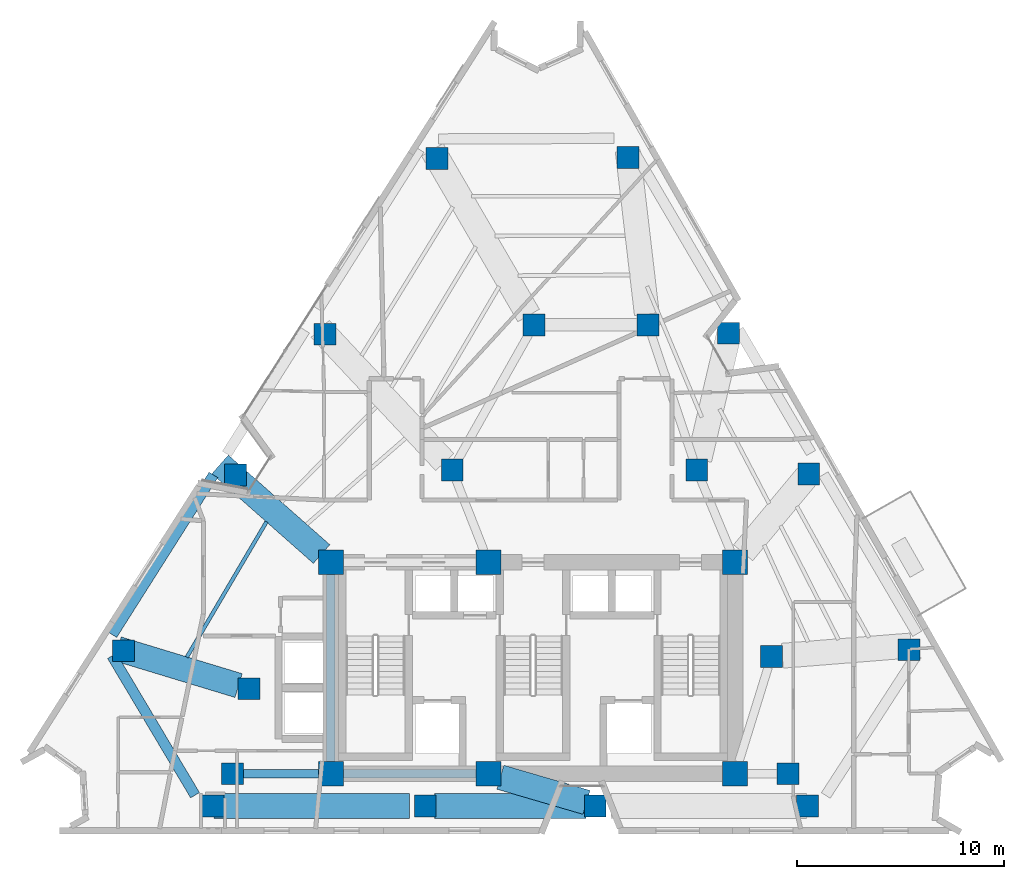
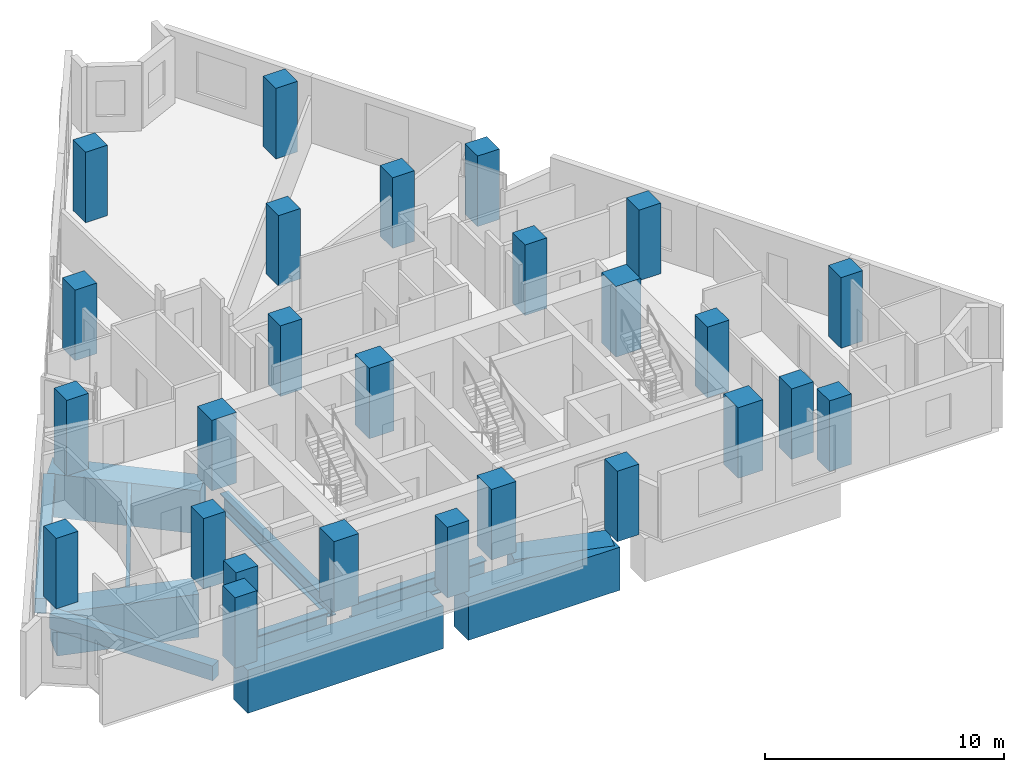
# One storey, part 1 of 12: 26 columns, 11 beams.
"""IFC4 building model written with IfcOpenShell, lengths in metres."""

from ifc_helpers import new_model, si_unit, direction, frame, origin, origin_2d, place, context, subcontext, project, spatial, rectangle, i_section, extrude, material, material_profile, profile_set, type_object, element, save


model = new_model("IFC4")

# Units and contexts
model_context = context("Model", 3, precision=1e-05, world=origin(), true_north=direction((0.0, 1.0)))
body_context = subcontext(model_context, "Body", "Model", "MODEL_VIEW")
ifc_project = project(units=[si_unit("LENGTHUNIT", "METRE"), si_unit("AREAUNIT", "SQUARE_METRE"), si_unit("VOLUMEUNIT", "CUBIC_METRE"), si_unit("PLANEANGLEUNIT", "RADIAN"), si_unit("MASSUNIT", "GRAM", prefix="KILO")], contexts=[model_context])

# Site, building, storey
site_placement = place(None, origin())
site = spatial("IfcSite", under=ifc_project, at=site_placement, CompositionType="ELEMENT")
building_placement = place(site_placement, origin())
building = spatial("IfcBuilding", under=site, at=building_placement, Name="Almagre Mirador Tower", CompositionType="ELEMENT")
storey_placement = place(building_placement, frame((0.0, 0.0, 132.0)))
storey = spatial("IfcBuildingStorey", under=building, at=storey_placement, Name="L33", CompositionType="ELEMENT", Elevation=132.0)

# Columns
ifc_material_1 = material(Name="Concrete C60/75", Category="concrete")
ifc_material_profile_1 = material_profile(ifc_material_1, rectangle(XDim=1.050048828125, YDim=1.050048828125, at=origin_2d()), Name="RC1050X1050")
ifc_profile_set_1 = profile_set([ifc_material_profile_1], Name="Concrete C60/75")
column_type_1 = type_object("IfcColumnType", Name="COL-RC1050", PredefinedType="COLUMN", material=ifc_profile_set_1)
for number, where, z_axis, x_axis, name in (
    (1, (22.800048828125, 4.550048828125, 0.0), (0.0, 0.0, 1.0), (1.0, 0.0, 0.0), "L33 interior transfer column MC1"),
    (2, (49.60009765625, 4.550048828125, 0.0), (0.0, 0.0, 1.0), (1.0, 0.0, 0.0), "L33 interior transfer column MC2"),
    (3, (48.800048828125, 10.199951171875, 0.0), (0.0, 0.0, 1.0), (1.0, 0.0, 0.0), "L33 interior transfer column MC3"),
    (4, (45.199951171875, 19.199951171875, 0.0), (0.0, 0.0, 1.0), (1.0, 0.0, 0.0), "L33 interior transfer column MC5"),
    (5, (42.85009765625, 26.199951171875, 0.0), (0.0, 0.0, 1.0), (1.0, 0.0, 0.0), "L33 interior transfer column MC6"),
    (6, (37.35009765625, 26.199951171875, 0.0), (0.0, 0.0, 1.0), (1.0, 0.0, 0.0), "L33 interior transfer column MC7"),
    (7, (33.39990234375, 19.199951171875, 0.0), (0.0, 0.0, 1.0), (1.0, 0.0, 0.0), "L33 interior transfer column MC8"),
    (8, (23.60009765625, 8.64990234375, 0.0), (0.0, 0.0, 1.0), (1.0, 0.0, 0.0), "L33 interior transfer column MC10"),
    (9, (21.864013671875, 3.0, 0.0), (0.0, 0.0, 1.0), (1.0, 0.0, 0.0), "L33 perimeter column PC01"),
    (10, (32.10400390625, 3.0, 0.0), (0.0, 0.0, 1.0), (1.0, 0.0, 0.0), "L33 perimeter column PC02"),
    (11, (40.2958984375, 3.0, 0.0), (0.0, 0.0, 1.0), (1.0, 0.0, 0.0), "L33 perimeter column PC03"),
    (12, (50.535888671875, 3.0, 0.0), (0.0, 0.0, 1.0), (1.0, 0.0, 0.0), "L33 perimeter column PC04"),
    (13, (55.43408203125, 10.532958984375, 0.0), (0.0, 0.0, 1.0), (1.0, 0.0, 0.0), "L33 perimeter column PC05"),
    (14, (50.593994140625, 19.012939453125, 0.0), (0.0, 0.0, 1.0), (1.0, 0.0, 0.0), "L33 perimeter column PC06"),
    (15, (46.721923828125, 25.797119140625, 0.0), (0.0, 0.0, 1.0), (1.0, 0.0, 0.0), "L33 perimeter column PC07"),
    (16, (41.882080078125, 34.277099609375, 0.0), (0.0, 0.0, 1.0), (1.0, 0.0, 0.0), "L33 perimeter column PC08"),
    (17, (32.672119140625, 34.22705078125, 0.0), (0.0, 0.0, 1.0), (1.0, 0.0, 0.0), "L33 perimeter column PC09"),
    (18, (27.27197265625, 25.7470703125, 0.0), (0.0, 0.0, 1.0), (1.0, 0.0, 0.0), "L33 perimeter column PC10"),
):
    element("IfcColumn", number, at=place(storey_placement, frame(where, z_axis=z_axis, x_axis=x_axis)), inside=storey, type_object=column_type_1, Name=name, PredefinedType="COLUMN", context=body_context, shape_type="SweptSolid", body=[
        extrude(rectangle(XDim=1.050048828125, YDim=1.050048828125, at=origin_2d()), origin(), (0.0, 0.0, 1.0), 3.60009765625),
    ])
column_1_placement = place(storey_placement, frame((22.951904296875, 18.962890625, -0.25), z_axis=(0.0, 0.0, 1.0), x_axis=(1.0, 0.0, 0.0)))
element("IfcColumn", 19, at=column_1_placement, inside=storey, type_object=column_type_1, Name="L33 perimeter column PC11", PredefinedType="COLUMN", context=body_context, shape_type="SweptSolid", body=[
    extrude(rectangle(XDim=1.050048828125, YDim=1.050048828125, at=origin_2d()), origin(), (0.0, 0.0, 1.0), 3.85009765625),
])
column_2_placement = place(storey_placement, frame((17.552001953125, 10.48291015625, 0.0), z_axis=(0.0, 0.0, 1.0), x_axis=(1.0, 0.0, 0.0)))
element("IfcColumn", 20, at=column_2_placement, inside=storey, type_object=column_type_1, Name="L33 perimeter column PC12", PredefinedType="COLUMN", context=body_context, shape_type="SweptSolid", body=[
    extrude(rectangle(XDim=1.050048828125, YDim=1.050048828125, at=origin_2d()), origin(), (0.0, 0.0, 1.0), 3.60009765625),
])
ifc_material_2 = material(Name="Concrete C60/75", Category="concrete")
ifc_material_profile_2 = material_profile(ifc_material_2, rectangle(XDim=1.199951171875, YDim=1.199951171875, at=origin_2d()), Name="RC1200X1200")
ifc_profile_set_2 = profile_set([ifc_material_profile_2], Name="Concrete C60/75")
column_type_2 = type_object("IfcColumnType", Name="COL-RC1200", PredefinedType="COLUMN", material=ifc_profile_set_2)
for number, where, z_axis, x_axis, name in (
    (21, (27.550048828125, 4.550048828125, 0.0), (0.0, 0.0, 1.0), (1.0, 0.0, 0.0), "L33 core spine column CC1"),
    (22, (35.14990234375, 4.550048828125, 0.0), (0.0, 0.0, 1.0), (1.0, 0.0, 0.0), "L33 core spine column CC2"),
    (23, (47.050048828125, 4.550048828125, 0.0), (0.0, 0.0, 1.0), (1.0, 0.0, 0.0), "L33 core spine column CC3"),
    (24, (27.550048828125, 14.75, 0.0), (0.0, 0.0, 1.0), (1.0, 0.0, 0.0), "L33 core spine column CC4"),
    (25, (35.14990234375, 14.75, 0.0), (0.0, 0.0, 1.0), (1.0, 0.0, 0.0), "L33 core spine column CC5"),
    (26, (47.050048828125, 14.75, 0.0), (0.0, 0.0, 1.0), (1.0, 0.0, 0.0), "L33 core spine column CC6"),
):
    element("IfcColumn", number, at=place(storey_placement, frame(where, z_axis=z_axis, x_axis=x_axis)), inside=storey, type_object=column_type_2, Name=name, PredefinedType="COLUMN", context=body_context, shape_type="SweptSolid", body=[
        extrude(rectangle(XDim=1.199951171875, YDim=1.199951171875, at=origin_2d()), origin(), (0.0, 0.0, 1.0), 3.60009765625),
    ])

# Beams
ifc_material_3 = material(Name="Steel ASTM A992 Grade 50", Category="steel")
ifc_material_profile_3 = material_profile(ifc_material_3, i_section(OverallWidth=0.178955078125, OverallDepth=0.408935546875, WebThickness=0.0087890625, FlangeThickness=0.014404296875, FilletRadius=0.013916015625, at=origin_2d()), Name="W16X45")
ifc_profile_set_3 = profile_set([ifc_material_profile_3], Name="Steel ASTM A992 Grade 50")
beam_type_1 = type_object("IfcBeamType", Name="BM-JST-W16X45", PredefinedType="JOIST", material=ifc_profile_set_3)
beam_1_placement = place(storey_placement, frame((24.44677734375, 16.705078125, -0.45458984375), z_axis=(-0.507304331203, -0.861766972877, 0.0), x_axis=(0.861766972877, -0.507304331203, 0.0)))
element("IfcBeam", 27, at=beam_1_placement, inside=storey, type_object=beam_type_1, Name="L33 secondary floor joist PC11-PC12.2", PredefinedType="JOIST", context=body_context, shape_type="SweptSolid", body=[
    extrude(i_section(OverallWidth=0.178955078125, OverallDepth=0.408935546875, WebThickness=0.0087890625, FlangeThickness=0.014404296875, FilletRadius=0.013916015625, at=origin_2d()), origin(), (0.0, 0.0, 1.0), 7.58251953125),
])
ifc_material_4 = material(Name="Precast concrete C50/60", Category="concrete")
ifc_material_profile_4 = material_profile(ifc_material_4, rectangle(XDim=0.5, YDim=0.75, at=origin_2d()), Name="RC500X750")
ifc_profile_set_4 = profile_set([ifc_material_profile_4], Name="Precast concrete C50/60")
beam_type_2 = type_object("IfcBeamType", Name="BM-SPN-RC500X750", PredefinedType="SPANDREL", material=ifc_profile_set_4)
beam_2_placement = place(storey_placement, frame((21.885009765625, 18.962890625, -0.625), z_axis=(-0.534882027559, -0.844926752207, 0.0), x_axis=(0.844926752207, -0.534882027559, 0.0)))
element("IfcBeam", 28, at=beam_2_placement, inside=storey, type_object=beam_type_2, Name="L33 perimeter spandrel beam PC11-PC12", PredefinedType="SPANDREL", context=body_context, shape_type="SweptSolid", body=[
    extrude(rectangle(XDim=0.5, YDim=0.75, at=origin_2d()), origin(), (0.0, 0.0, 1.0), 9.1201171875),
])
beam_3_placement = place(storey_placement, frame((16.9931640625, 10.234619140625, -0.625), z_axis=(0.511872325073, -0.85906153611, 0.0), x_axis=(0.85906153611, 0.511872325073, 0.0)))
element("IfcBeam", 29, at=beam_3_placement, inside=storey, type_object=beam_type_2, Name="L33 perimeter spandrel beam PC12-PC01", PredefinedType="SPANDREL", context=body_context, shape_type="SweptSolid", body=[
    extrude(rectangle(XDim=0.5, YDim=0.75, at=origin_2d()), origin(), (0.0, 0.0, 1.0), 7.821533203125),
])
ifc_material_5 = material(Name="Steel ASTM A992 Grade 50", Category="steel")
ifc_material_profile_5 = material_profile(ifc_material_5, i_section(OverallWidth=0.404052734375, OverallDepth=0.884033203125, WebThickness=0.0244140625, FlangeThickness=0.0439453125, FilletRadius=0.02490234375, at=origin_2d()), Name="W33X291")
ifc_profile_set_5 = profile_set([ifc_material_profile_5], Name="Steel ASTM A992 Grade 50")
beam_type_3 = type_object("IfcBeamType", Name="BM-STL-W33X291", PredefinedType="BEAM", material=ifc_profile_set_5)
beam_4_placement = place(storey_placement, frame((28.14990234375, 4.550048828125, -0.69189453125), z_axis=(1.0, 0.0, 0.0), x_axis=(0.0, 1.0, 0.0)))
element("IfcBeam", 30, at=beam_4_placement, inside=storey, type_object=beam_type_3, Name="L33 core tie girder CC1-CC2", PredefinedType="BEAM", context=body_context, shape_type="SweptSolid", body=[
    extrude(i_section(OverallWidth=0.404052734375, OverallDepth=0.884033203125, WebThickness=0.0244140625, FlangeThickness=0.0439453125, FilletRadius=0.02490234375, at=origin_2d()), origin(), (0.0, 0.0, 1.0), 6.400146484375),
])
beam_5_placement = place(storey_placement, frame((27.550048828125, 5.14990234375, -0.69189453125), z_axis=(0.0, 1.0, 0.0), x_axis=(-1.0, 0.0, 0.0)))
element("IfcBeam", 31, at=beam_5_placement, inside=storey, type_object=beam_type_3, Name="L33 core tie girder CC1-CC4", PredefinedType="BEAM", context=body_context, shape_type="SweptSolid", body=[
    extrude(i_section(OverallWidth=0.404052734375, OverallDepth=0.884033203125, WebThickness=0.0244140625, FlangeThickness=0.0439453125, FilletRadius=0.02490234375, at=origin_2d()), origin(), (0.0, 0.0, 1.0), 9.0),
])
beam_6_placement = place(storey_placement, frame((23.324951171875, 4.550048828125, -0.69189453125), z_axis=(1.0, 0.0, 0.0), x_axis=(0.0, 1.0, 0.0)))
element("IfcBeam", 32, at=beam_6_placement, inside=storey, type_object=beam_type_3, Name="L33 core tie girder MC1-CC1", PredefinedType="BEAM", context=body_context, shape_type="SweptSolid", body=[
    extrude(i_section(OverallWidth=0.404052734375, OverallDepth=0.884033203125, WebThickness=0.0244140625, FlangeThickness=0.0439453125, FilletRadius=0.02490234375, at=origin_2d()), origin(), (0.0, 0.0, 1.0), 3.625),
])
ifc_material_6 = material(Name="Concrete C60/75", Category="concrete")
ifc_material_profile_6 = material_profile(ifc_material_6, rectangle(XDim=1.199951171875, YDim=2.199951171875, at=origin_2d()), Name="RC1200X2200")
ifc_profile_set_6 = profile_set([ifc_material_profile_6], Name="Concrete C60/75")
beam_type_4 = type_object("IfcBeamType", Name="BM-XFER-RC1200X2200", PredefinedType="BEAM", material=ifc_profile_set_6)
beam_7_placement = place(storey_placement, frame((21.904052734375, 3.0, -1.35009765625), z_axis=(1.0, 0.0, 0.0), x_axis=(0.0, 1.0, 0.0)))
element("IfcBeam", 33, at=beam_7_placement, inside=storey, type_object=beam_type_4, Name="L33 perimeter spandrel beam PC01-PC02", PredefinedType="BEAM", context=body_context, shape_type="SweptSolid", body=[
    extrude(rectangle(XDim=1.199951171875, YDim=2.199951171875, at=origin_2d()), origin(), (0.0, 0.0, 1.0), 9.43994140625),
])
beam_8_placement = place(storey_placement, frame((32.5439453125, 3.0, -1.35009765625), z_axis=(1.0, 0.0, 0.0), x_axis=(0.0, 1.0, 0.0)))
element("IfcBeam", 34, at=beam_8_placement, inside=storey, type_object=beam_type_4, Name="L33 perimeter spandrel beam PC02-PC03", PredefinedType="BEAM", context=body_context, shape_type="SweptSolid", body=[
    extrude(rectangle(XDim=1.199951171875, YDim=2.199951171875, at=origin_2d()), origin(), (0.0, 0.0, 1.0), 7.31201171875),
])
beam_9_placement = place(storey_placement, frame((39.880126953125, 3.168212890625, -1.35009765625), z_axis=(-0.959878605081, 0.280415875991, 0.0), x_axis=(-0.280415875991, -0.959878605081, 0.0)))
element("IfcBeam", 35, at=beam_9_placement, inside=storey, type_object=beam_type_4, Name="L33 radial transfer girder PC03-CC2", PredefinedType="BEAM", context=body_context, shape_type="SweptSolid", body=[
    extrude(rectangle(XDim=1.199951171875, YDim=2.199951171875, at=origin_2d()), origin(), (0.0, 0.0, 1.0), 4.327880859375),
])
beam_10_placement = place(storey_placement, frame((22.2060546875, 19.469970703125, -1.35009765625), z_axis=(0.749513713369, -0.661988816727, 0.0), x_axis=(0.661988816727, 0.749513713369, 0.0)))
element("IfcBeam", 36, at=beam_10_placement, inside=storey, type_object=beam_type_4, Name="L33 radial transfer girder PC11-CC4", PredefinedType="BEAM", context=body_context, shape_type="SweptSolid", body=[
    extrude(rectangle(XDim=1.199951171875, YDim=2.199951171875, at=origin_2d()), origin(), (0.0, 0.0, 1.0), 6.530029296875),
])
beam_11_placement = place(storey_placement, frame((17.260009765625, 10.57568359375, -1.35009765625), z_axis=(0.95683269583, -0.290639281913, 0.0), x_axis=(0.290639281913, 0.95683269583, 0.0)))
element("IfcBeam", 37, at=beam_11_placement, inside=storey, type_object=beam_type_4, Name="L33 radial transfer girder PC12-MC10", PredefinedType="BEAM", context=body_context, shape_type="SweptSolid", body=[
    extrude(rectangle(XDim=1.199951171875, YDim=2.199951171875, at=origin_2d()), origin(), (0.0, 0.0, 1.0), 6.10107421875),
])

save(model, "model.ifc")
